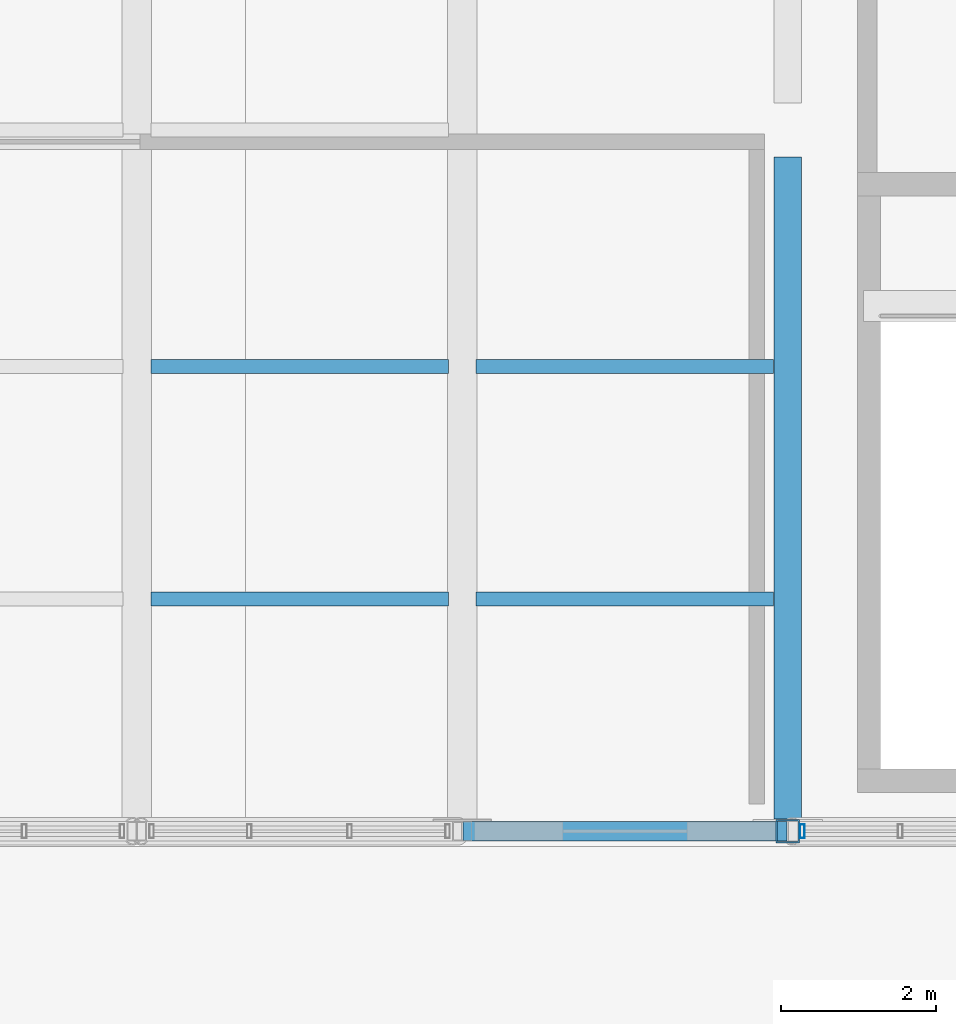
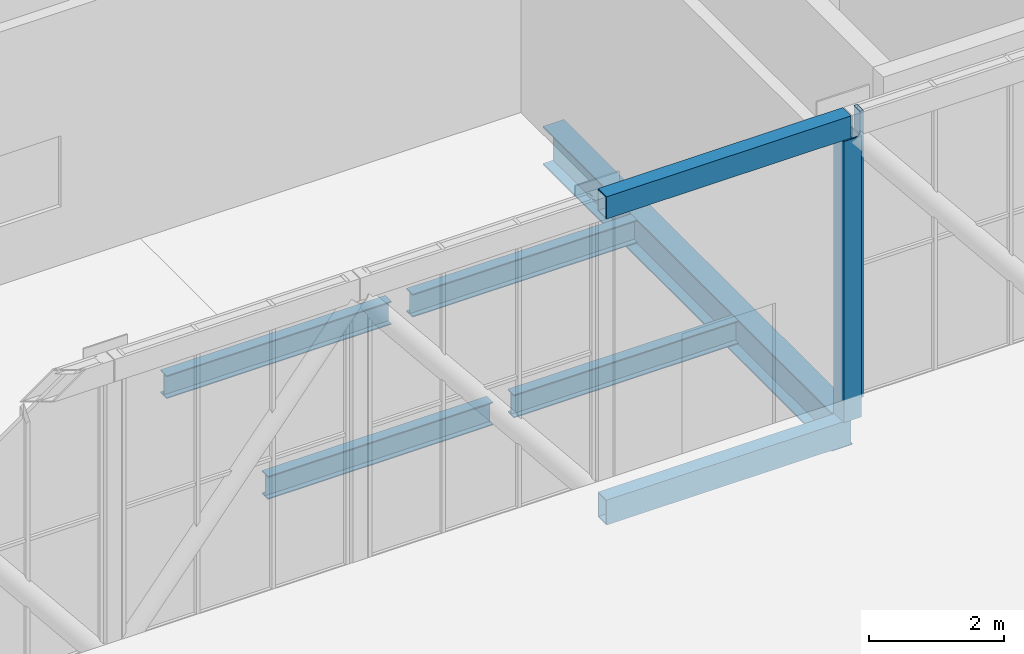
# One storey, part 27 of 58: 5 beams, 4 members, 1 element without a shape of its own.
"""IFC4 building model written with IfcOpenShell, lengths in metres."""

from ifc_helpers import new_model, si_unit, direction, frame, origin, origin_2d, place, context, subcontext, project, spatial, hollow_rectangle, i_section, extrude, material, material_profile, profile_set, type_object, element, aggregate, save


model = new_model("IFC4")

# Units and contexts
model_context = context("Model", 3, precision=1e-05, world=origin(), true_north=direction((0.0, 1.0)))
body_context = subcontext(model_context, "Body", "Model", "MODEL_VIEW")
ifc_project = project(units=[si_unit("LENGTHUNIT", "METRE"), si_unit("AREAUNIT", "SQUARE_METRE"), si_unit("VOLUMEUNIT", "CUBIC_METRE"), si_unit("PLANEANGLEUNIT", "RADIAN"), si_unit("MASSUNIT", "GRAM", prefix="KILO")], contexts=[model_context])

# Site, building, storey
site_placement = place(None, origin())
site = spatial("IfcSite", under=ifc_project, at=site_placement, CompositionType="ELEMENT")
building_placement = place(site_placement, origin())
building = spatial("IfcBuilding", under=site, at=building_placement, Name="Khurvash Pelagic Aquarium", CompositionType="ELEMENT")
storey_placement = place(building_placement, frame((0.0, 0.0, 24.60009765625)))
storey = spatial("IfcBuildingStorey", under=building, at=storey_placement, Name="L05", CompositionType="ELEMENT", Elevation=24.60009765625)

# Beam
ifc_material_1 = material(Name="Steel ASTM A992 Grade 50", Category="steel")
ifc_material_profile_1 = material_profile(ifc_material_1, i_section(OverallWidth=0.35595703125, OverallDepth=0.696044921875, WebThickness=0.015380859375, FlangeThickness=0.02490234375, at=origin_2d()), Name="W27X146")
ifc_profile_set_1 = profile_set([ifc_material_profile_1], Name="Steel ASTM A992 Grade 50")
beam_type_1 = type_object("IfcBeamType", Name="BM-09", PredefinedType="BEAM", material=ifc_profile_set_1)
beam_placement = place(storey_placement, frame((92.39990234375, 11.81005859375, -0.648193359375), z_axis=(0.0, 1.0, 0.0), x_axis=(-1.0, 0.0, 0.0)))
element("IfcBeam", 1, at=beam_placement, inside=storey, type_object=beam_type_1, Name="L05 Sky-Bar Transverse Floor Girder BM-09 N20", PredefinedType="BEAM", context=body_context, shape_type="SweptSolid", body=[
    extrude(i_section(OverallWidth=0.35595703125, OverallDepth=0.696044921875, WebThickness=0.015380859375, FlangeThickness=0.02490234375, at=origin_2d()), origin(), (0.0, 0.0, 1.0), 8.5400390625),
])

# Curtain wall, member
ifc_material_2 = material(Name="Anodised aluminium and low-E laminated glass", Category="aluminium")
curtain_wall_type = type_object("IfcCurtainWallType", Name="CW-01", PredefinedType="USERDEFINED", material=ifc_material_2)
curtain_wall_placement = place(storey_placement, origin())
curtain_wall = element("IfcCurtainWall", 2, at=curtain_wall_placement, inside=storey, type_object=curtain_wall_type, Name="L05 South Sky-Bar Unitised Curtain Wall CW-01 P20", ObjectType="UNITISED CURTAIN WALL", PredefinedType="USERDEFINED")
ifc_material_3 = material(Name="Extruded aluminium AW-6063-T6", Category="aluminium")
ifc_material_profile_2 = material_profile(ifc_material_3, hollow_rectangle(XDim=0.06005859375, YDim=0.179931640625, WallThickness=0.00390625, at=origin_2d()), Name="CWM60X180X4")
ifc_profile_set_2 = profile_set([ifc_material_profile_2], Name="Extruded aluminium AW-6063-T6")
member_type_1 = type_object("IfcMemberType", Name="CM-01", PredefinedType="MULLION", material=ifc_profile_set_2)
member_1_placement = place(storey_placement, frame((92.590087890625, 11.64990234375, 0.0), z_axis=(0.0, 0.0, 1.0), x_axis=(1.0, 0.0, 0.0)))
member_1 = element("IfcMember", 3, at=member_1_placement, type_object=member_type_1, Name="CW-01 mullion 1", PredefinedType="MULLION", context=body_context, shape_type="SweptSolid", body=[
    extrude(hollow_rectangle(XDim=0.06005859375, YDim=0.179931640625, WallThickness=0.00390625, at=origin_2d()), origin(), (0.0, 0.0, 1.0), 5.179931640625),
])
aggregate(curtain_wall, [member_1])

# Beams
ifc_material_profile_3 = material_profile(ifc_material_1, i_section(OverallWidth=0.180908203125, OverallDepth=0.4169921875, WebThickness=0.010986328125, FlangeThickness=0.018310546875, at=origin_2d()), Name="W16X57")
ifc_profile_set_3 = profile_set([ifc_material_profile_3], Name="Steel ASTM A992 Grade 50")
beam_type_2 = type_object("IfcBeamType", Name="JS-03", PredefinedType="JOIST", material=ifc_profile_set_3)
for number, where, z_axis, x_axis, name in (
    (4, (84.179931640625, 14.64990234375, -0.508544921875), (1.0, 0.0, 0.0), (0.0, 1.0, 0.0), "L05 Sky-Bar Floor Joist JS-03 P18"),
    (5, (84.179931640625, 17.64990234375, -0.508544921875), (1.0, 0.0, 0.0), (0.0, 1.0, 0.0), "L05 Sky-Bar Floor Joist JS-03 P18"),
    (6, (88.3798828125, 14.64990234375, -0.508544921875), (1.0, 0.0, 0.0), (0.0, 1.0, 0.0), "L05 Sky-Bar Floor Joist JS-03 P19"),
    (7, (88.3798828125, 17.64990234375, -0.508544921875), (1.0, 0.0, 0.0), (0.0, 1.0, 0.0), "L05 Sky-Bar Floor Joist JS-03 P19"),
):
    element("IfcBeam", number, at=place(storey_placement, frame(where, z_axis=z_axis, x_axis=x_axis)), inside=storey, type_object=beam_type_2, Name=name, PredefinedType="JOIST", context=body_context, shape_type="SweptSolid", body=[
        extrude(i_section(OverallWidth=0.180908203125, OverallDepth=0.4169921875, WebThickness=0.010986328125, FlangeThickness=0.018310546875, at=origin_2d()), origin(), (0.0, 0.0, 1.0), 3.840087890625),
    ])

# Members
ifc_material_4 = material(Name="Steel S355J2", Category="steel")
ifc_material_profile_4 = material_profile(ifc_material_4, hollow_rectangle(XDim=0.25, YDim=0.449951171875, WallThickness=0.02001953125, at=origin_2d()), Name="RHS450X250X20")
ifc_profile_set_4 = profile_set([ifc_material_profile_4], Name="Steel S355J2")
member_type_2 = type_object("IfcMemberType", Name="TC-01", PredefinedType="CHORD", material=ifc_profile_set_4)
member_2_placement = place(storey_placement, frame((88.2099609375, 11.64990234375, -0.525146484375), z_axis=(1.0, 0.0, 0.0), x_axis=(0.0, 1.0, 0.0)))
element("IfcMember", 8, at=member_2_placement, inside=storey, type_object=member_type_2, Name="L05 South Sky-Bar Warren Truss Bottom Chord TC-01 P19", PredefinedType="CHORD", context=body_context, shape_type="SweptSolid", body=[
    extrude(hollow_rectangle(XDim=0.25, YDim=0.449951171875, WallThickness=0.02001953125, at=origin_2d()), origin(), (0.0, 0.0, 1.0), 4.179931640625),
])
ifc_material_profile_5 = material_profile(ifc_material_4, hollow_rectangle(XDim=0.25, YDim=0.39990234375, WallThickness=0.01611328125, at=origin_2d()), Name="RHS400X250X16")
ifc_profile_set_5 = profile_set([ifc_material_profile_5], Name="Steel S355J2")
member_type_3 = type_object("IfcMemberType", Name="TC-02", PredefinedType="CHORD", material=ifc_profile_set_5)
member_3_placement = place(storey_placement, frame((88.2099609375, 11.64990234375, 4.97998046875), z_axis=(1.0, 0.0, 0.0), x_axis=(0.0, 1.0, 0.0)))
element("IfcMember", 9, at=member_3_placement, inside=storey, type_object=member_type_3, Name="L05 South Sky-Bar Warren Truss Top Chord TC-02 P19", PredefinedType="CHORD", context=body_context, shape_type="SweptSolid", body=[
    extrude(hollow_rectangle(XDim=0.25, YDim=0.39990234375, WallThickness=0.01611328125, at=origin_2d()), origin(), (0.0, 0.0, 1.0), 4.179931640625),
])
ifc_material_profile_6 = material_profile(ifc_material_4, hollow_rectangle(XDim=0.300048828125, YDim=0.300048828125, WallThickness=0.01611328125, at=origin_2d()), Name="SHS300X300X16")
ifc_profile_set_6 = profile_set([ifc_material_profile_6], Name="Steel S355J2")
member_type_4 = type_object("IfcMemberType", Name="TV-01", PredefinedType="POST", material=ifc_profile_set_6)
member_4_placement = place(storey_placement, frame((92.39990234375, 11.64990234375, -0.300048828125), z_axis=(0.0, 0.0, 1.0), x_axis=(1.0, 0.0, 0.0)))
element("IfcMember", 10, at=member_4_placement, inside=storey, type_object=member_type_4, Name="L05 South Sky-Bar Truss Post TV-01 N20", PredefinedType="POST", context=body_context, shape_type="SweptSolid", body=[
    extrude(hollow_rectangle(XDim=0.300048828125, YDim=0.300048828125, WallThickness=0.01611328125, at=origin_2d()), origin(), (0.0, 0.0, 1.0), 5.079833984375),
])

save(model, "model.ifc")
